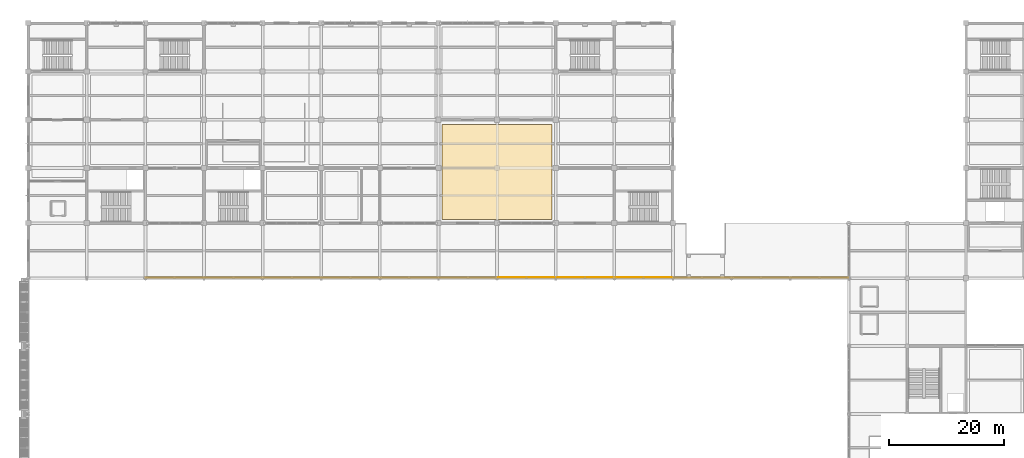
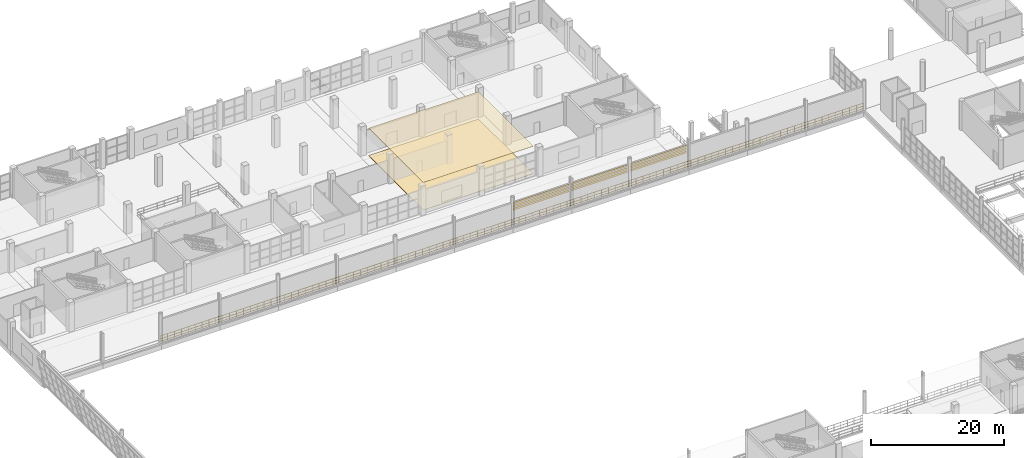
# One storey, part 163 of 175: 11 coverings, 1 railing.
"""IFC4 building model written with IfcOpenShell, lengths in metres."""

from ifc_helpers import new_model, si_unit, direction, frame, origin, origin_2d, place, context, subcontext, project, spatial, polyline, circle, outline, extrude, material, layer, layer_set, type_object, element, save


model = new_model("IFC4")

# Units and contexts
model_context = context("Model", 3, precision=1e-05, world=origin(), true_north=direction((0.0, 1.0)))
body_context = subcontext(model_context, "Body", "Model", "MODEL_VIEW")
ifc_project = project(units=[si_unit("LENGTHUNIT", "METRE"), si_unit("AREAUNIT", "SQUARE_METRE"), si_unit("VOLUMEUNIT", "CUBIC_METRE"), si_unit("PLANEANGLEUNIT", "RADIAN"), si_unit("MASSUNIT", "GRAM", prefix="KILO")], contexts=[model_context])

# Site, building, storey
site_placement = place(None, origin())
site = spatial("IfcSite", under=ifc_project, at=site_placement, CompositionType="ELEMENT")
building_placement = place(site_placement, origin())
building = spatial("IfcBuilding", under=site, at=building_placement, Name="Brelvane Convention Centre", CompositionType="ELEMENT")
storey_placement = place(building_placement, frame((0.0, 0.0, 5.39990234375)))
storey = spatial("IfcBuildingStorey", under=building, at=storey_placement, Name="L01", CompositionType="ELEMENT", Elevation=5.39990234375)

# Coverings
ifc_material_1 = material(Name="Patinated Copper-Bronze Alloy C22000")
ifc_layer_1 = layer(ifc_material_1, 0.044921875)
ifc_layer_set_1 = layer_set([ifc_layer_1], Name="Patinated Copper-Bronze Alloy C22000")
covering_type_1 = type_object("IfcCoveringType", Name="Envelope Covering CL-CU1", PredefinedType="CLADDING", material=ifc_layer_set_1)
covering_1_placement = place(storey_placement, frame((0.0, 0.0, 3.77001953125)))
element("IfcCovering", 1, at=covering_1_placement, inside=storey, type_object=covering_type_1, Name="Copper-Bronze Hull Band L01-V1N-L01-09-1", PredefinedType="CLADDING", context=body_context, shape_type="SweptSolid", body=[
    extrude(outline(polyline([(81.840087890625, 99.740966796875), (91.56005859375, 99.740966796875), (91.56005859375, 99.785888671875), (81.840087890625, 99.785888671875), (81.840087890625, 99.740966796875)])), origin(), (0.0, 0.0, 1.0), 0.380126953125),
])
covering_2_placement = place(storey_placement, frame((0.0, 0.0, 3.77001953125)))
element("IfcCovering", 2, at=covering_2_placement, inside=storey, type_object=covering_type_1, Name="Copper-Bronze Hull Band L01-V1N-L01-10-1", PredefinedType="CLADDING", context=body_context, shape_type="SweptSolid", body=[
    extrude(outline(polyline([(92.0400390625, 99.740966796875), (101.760009765625, 99.740966796875), (101.760009765625, 99.785888671875), (92.0400390625, 99.785888671875), (92.0400390625, 99.740966796875)])), origin(), (0.0, 0.0, 1.0), 0.380126953125),
])
covering_3_placement = place(storey_placement, frame((0.0, 0.0, 3.77001953125)))
element("IfcCovering", 3, at=covering_3_placement, inside=storey, type_object=covering_type_1, Name="Copper-Bronze Hull Band L01-V1N-L01-11-1", PredefinedType="CLADDING", context=body_context, shape_type="SweptSolid", body=[
    extrude(outline(polyline([(102.239990234375, 99.740966796875), (111.9599609375, 99.740966796875), (111.9599609375, 99.785888671875), (102.239990234375, 99.785888671875), (102.239990234375, 99.740966796875)])), origin(), (0.0, 0.0, 1.0), 0.380126953125),
])
ifc_material_2 = material(Name="Patinated Copper-Bronze Alloy C22000")
ifc_layer_2 = layer(ifc_material_2, 0.054931640625)
ifc_layer_set_2 = layer_set([ifc_layer_2], Name="Patinated Copper-Bronze Alloy C22000")
covering_type_2 = type_object("IfcCoveringType", Name="Envelope Covering CL-CU2", PredefinedType="CLADDING", material=ifc_layer_set_2)
covering_4_placement = place(storey_placement, frame((0.0, 0.0, 3.22021484375)))
element("IfcCovering", 4, at=covering_4_placement, inside=storey, type_object=covering_type_2, Name="Copper-Bronze Hull Band L01-V1N-L01-09-2", PredefinedType="CLADDING", context=body_context, shape_type="SweptSolid", body=[
    extrude(outline(polyline([(81.840087890625, 99.740966796875), (91.56005859375, 99.740966796875), (91.56005859375, 99.7958984375), (81.840087890625, 99.7958984375), (81.840087890625, 99.740966796875)])), origin(), (0.0, 0.0, 1.0), 0.3798828125),
])
covering_5_placement = place(storey_placement, frame((0.0, 0.0, 3.22021484375)))
element("IfcCovering", 5, at=covering_5_placement, inside=storey, type_object=covering_type_2, Name="Copper-Bronze Hull Band L01-V1N-L01-10-2", PredefinedType="CLADDING", context=body_context, shape_type="SweptSolid", body=[
    extrude(outline(polyline([(92.0400390625, 99.740966796875), (101.760009765625, 99.740966796875), (101.760009765625, 99.7958984375), (92.0400390625, 99.7958984375), (92.0400390625, 99.740966796875)])), origin(), (0.0, 0.0, 1.0), 0.3798828125),
])
covering_6_placement = place(storey_placement, frame((0.0, 0.0, 3.22021484375)))
element("IfcCovering", 6, at=covering_6_placement, inside=storey, type_object=covering_type_2, Name="Copper-Bronze Hull Band L01-V1N-L01-11-2", PredefinedType="CLADDING", context=body_context, shape_type="SweptSolid", body=[
    extrude(outline(polyline([(102.239990234375, 99.740966796875), (111.9599609375, 99.740966796875), (111.9599609375, 99.7958984375), (102.239990234375, 99.7958984375), (102.239990234375, 99.740966796875)])), origin(), (0.0, 0.0, 1.0), 0.3798828125),
])
ifc_material_3 = material(Name="Patinated Copper-Bronze Alloy C22000")
ifc_layer_3 = layer(ifc_material_3, 0.06494140625)
ifc_layer_set_3 = layer_set([ifc_layer_3], Name="Patinated Copper-Bronze Alloy C22000")
covering_type_3 = type_object("IfcCoveringType", Name="Envelope Covering CL-CU3", PredefinedType="CLADDING", material=ifc_layer_set_3)
covering_7_placement = place(storey_placement, frame((0.0, 0.0, 2.670166015625)))
element("IfcCovering", 7, at=covering_7_placement, inside=storey, type_object=covering_type_3, Name="Copper-Bronze Hull Band L01-V1N-L01-09-3", PredefinedType="CLADDING", context=body_context, shape_type="SweptSolid", body=[
    extrude(outline(polyline([(81.840087890625, 99.740966796875), (91.56005859375, 99.740966796875), (91.56005859375, 99.805908203125), (81.840087890625, 99.805908203125), (81.840087890625, 99.740966796875)])), origin(), (0.0, 0.0, 1.0), 0.3798828125),
])
covering_8_placement = place(storey_placement, frame((0.0, 0.0, 2.670166015625)))
element("IfcCovering", 8, at=covering_8_placement, inside=storey, type_object=covering_type_3, Name="Copper-Bronze Hull Band L01-V1N-L01-10-3", PredefinedType="CLADDING", context=body_context, shape_type="SweptSolid", body=[
    extrude(outline(polyline([(92.0400390625, 99.740966796875), (101.760009765625, 99.740966796875), (101.760009765625, 99.805908203125), (92.0400390625, 99.805908203125), (92.0400390625, 99.740966796875)])), origin(), (0.0, 0.0, 1.0), 0.3798828125),
])
covering_9_placement = place(storey_placement, frame((0.0, 0.0, 2.670166015625)))
element("IfcCovering", 9, at=covering_9_placement, inside=storey, type_object=covering_type_3, Name="Copper-Bronze Hull Band L01-V1N-L01-11-3", PredefinedType="CLADDING", context=body_context, shape_type="SweptSolid", body=[
    extrude(outline(polyline([(102.239990234375, 99.740966796875), (111.9599609375, 99.740966796875), (111.9599609375, 99.805908203125), (102.239990234375, 99.805908203125), (102.239990234375, 99.740966796875)])), origin(), (0.0, 0.0, 1.0), 0.3798828125),
])
ifc_material_4 = material(Name="Perforated Anodised Aluminium Alloy 6063 Acoustic Baffle", Category="aluminium")
ifc_layer_4 = layer(ifc_material_4, 0.074951171875)
ifc_layer_set_4 = layer_set([ifc_layer_4], Name="Perforated Anodised Aluminium Alloy 6063 Acoustic Baffle")
covering_type_4 = type_object("IfcCoveringType", Name="Interior Finish CL-BAF-75", PredefinedType="CEILING", material=ifc_layer_set_4)
covering_10_placement = place(storey_placement, frame((0.0, 0.0, 5.045166015625)))
element("IfcCovering", 10, at=covering_10_placement, inside=storey, type_object=covering_type_4, Name="Meeting Room 204 Acoustic Ceiling (CL-BAF-75)", PredefinedType="CEILING", context=body_context, shape_type="SweptSolid", body=[
    extrude(outline(polyline([(72.030029296875, 109.830078125), (91.169921875, 109.830078125), (91.169921875, 126.3701171875), (72.030029296875, 126.3701171875), (72.030029296875, 109.830078125)])), origin(), (0.0, 0.0, 1.0), 0.074951171875),
])
ifc_material_5 = material(Name="Polished Basalt-Aggregate Terrazzo Screed Concrete M30", Category="masonry")
ifc_layer_5 = layer(ifc_material_5, 0.050048828125)
ifc_layer_set_5 = layer_set([ifc_layer_5], Name="Polished Basalt-Aggregate Terrazzo Screed Concrete M30")
covering_type_5 = type_object("IfcCoveringType", Name="Interior Finish FL-TER-50", PredefinedType="FLOORING", material=ifc_layer_set_5)
covering_11_placement = place(storey_placement, origin())
element("IfcCovering", 11, at=covering_11_placement, inside=storey, type_object=covering_type_5, Name="Meeting Room 204 Floor Finish (FL-TER-50)", PredefinedType="FLOORING", context=body_context, shape_type="SweptSolid", body=[
    extrude(outline(polyline([(72.030029296875, 109.830078125), (91.169921875, 109.830078125), (91.169921875, 126.3701171875), (72.030029296875, 126.3701171875), (72.030029296875, 109.830078125)])), origin(), (0.0, 0.0, 1.0), 0.050048828125),
])

# Railing
ifc_material_6 = material(Name="Steel E350 (350 MPa)", Category="steel")
railing_type = type_object("IfcRailingType", Name="Railing GR-EXT-1", PredefinedType="GUARDRAIL", material=ifc_material_6)
railing_placement = place(storey_placement, frame((20.449951171875, 99.679931640625, 0.0)))
element("IfcRailing", 12, at=railing_placement, inside=storey, type_object=railing_type, Name="Railing GR-EXT-1 L01-court_s_edge_L01", PredefinedType="GUARDRAIL", context=body_context, shape_type="SweptSolid", body=[
    extrude(circle(Radius=0.02392578125, at=origin_2d()), frame((0.0, 0.0, 1.1259765625), z_axis=(1.0, 0.0, 0.0), x_axis=(0.0, 1.0, 0.0)), (0.0, 0.0, 1.0), 122.27001953125),
    extrude(circle(Radius=0.02392578125, at=origin_2d()), frame((0.0, 0.0, 0.597900390625), z_axis=(1.0, 0.0, 0.0), x_axis=(0.0, 1.0, 0.0)), (0.0, 0.0, 1.0), 122.27001953125),
    extrude(circle(Radius=0.02392578125, at=origin_2d()), frame((0.0, 0.0, 0.139892578125), z_axis=(1.0, 0.0, 0.0), x_axis=(0.0, 1.0, 0.0)), (0.0, 0.0, 1.0), 122.27001953125),
    extrude(circle(Radius=0.02099609375, at=origin_2d()), origin(), (0.0, 0.0, 1.0), 1.101806640625),
    extrude(circle(Radius=0.02099609375, at=origin_2d()), frame((1.19873046875, 0.0, 0.0)), (0.0, 0.0, 1.0), 1.101806640625),
    extrude(circle(Radius=0.02099609375, at=origin_2d()), frame((2.3974609375, 0.0, 0.0)), (0.0, 0.0, 1.0), 1.101806640625),
    extrude(circle(Radius=0.02099609375, at=origin_2d()), frame((3.59619140625, 0.0, 0.0)), (0.0, 0.0, 1.0), 1.101806640625),
    extrude(circle(Radius=0.02099609375, at=origin_2d()), frame((4.794921875, 0.0, 0.0)), (0.0, 0.0, 1.0), 1.101806640625),
    extrude(circle(Radius=0.02099609375, at=origin_2d()), frame((5.99365234375, 0.0, 0.0)), (0.0, 0.0, 1.0), 1.101806640625),
    extrude(circle(Radius=0.02099609375, at=origin_2d()), frame((7.1923828125, 0.0, 0.0)), (0.0, 0.0, 1.0), 1.101806640625),
    extrude(circle(Radius=0.02099609375, at=origin_2d()), frame((8.39111328125, 0.0, 0.0)), (0.0, 0.0, 1.0), 1.101806640625),
    extrude(circle(Radius=0.02099609375, at=origin_2d()), frame((9.58984375, 0.0, 0.0)), (0.0, 0.0, 1.0), 1.101806640625),
    extrude(circle(Radius=0.02099609375, at=origin_2d()), frame((10.78857421875, 0.0, 0.0)), (0.0, 0.0, 1.0), 1.101806640625),
    extrude(circle(Radius=0.02099609375, at=origin_2d()), frame((11.9873046875, 0.0, 0.0)), (0.0, 0.0, 1.0), 1.101806640625),
    extrude(circle(Radius=0.02099609375, at=origin_2d()), frame((13.18603515625, 0.0, 0.0)), (0.0, 0.0, 1.0), 1.101806640625),
    extrude(circle(Radius=0.02099609375, at=origin_2d()), frame((14.384765625, 0.0, 0.0)), (0.0, 0.0, 1.0), 1.101806640625),
    extrude(circle(Radius=0.02099609375, at=origin_2d()), frame((15.58349609375, 0.0, 0.0)), (0.0, 0.0, 1.0), 1.101806640625),
    extrude(circle(Radius=0.02099609375, at=origin_2d()), frame((16.7822265625, 0.0, 0.0)), (0.0, 0.0, 1.0), 1.101806640625),
    extrude(circle(Radius=0.02099609375, at=origin_2d()), frame((17.98095703125, 0.0, 0.0)), (0.0, 0.0, 1.0), 1.101806640625),
    extrude(circle(Radius=0.02099609375, at=origin_2d()), frame((19.1796875, 0.0, 0.0)), (0.0, 0.0, 1.0), 1.101806640625),
    extrude(circle(Radius=0.02099609375, at=origin_2d()), frame((20.37841796875, 0.0, 0.0)), (0.0, 0.0, 1.0), 1.101806640625),
    extrude(circle(Radius=0.02099609375, at=origin_2d()), frame((21.5771484375, 0.0, 0.0)), (0.0, 0.0, 1.0), 1.101806640625),
    extrude(circle(Radius=0.02099609375, at=origin_2d()), frame((22.77587890625, 0.0, 0.0)), (0.0, 0.0, 1.0), 1.101806640625),
    extrude(circle(Radius=0.02099609375, at=origin_2d()), frame((23.974609375, 0.0, 0.0)), (0.0, 0.0, 1.0), 1.101806640625),
    extrude(circle(Radius=0.02099609375, at=origin_2d()), frame((25.17333984375, 0.0, 0.0)), (0.0, 0.0, 1.0), 1.101806640625),
    extrude(circle(Radius=0.02099609375, at=origin_2d()), frame((26.3720703125, 0.0, 0.0)), (0.0, 0.0, 1.0), 1.101806640625),
    extrude(circle(Radius=0.02099609375, at=origin_2d()), frame((27.57080078125, 0.0, 0.0)), (0.0, 0.0, 1.0), 1.101806640625),
    extrude(circle(Radius=0.02099609375, at=origin_2d()), frame((28.76953125, 0.0, 0.0)), (0.0, 0.0, 1.0), 1.101806640625),
    extrude(circle(Radius=0.02099609375, at=origin_2d()), frame((29.96826171875, 0.0, 0.0)), (0.0, 0.0, 1.0), 1.101806640625),
    extrude(circle(Radius=0.02099609375, at=origin_2d()), frame((31.166748046875, 0.0, 0.0)), (0.0, 0.0, 1.0), 1.101806640625),
    extrude(circle(Radius=0.02099609375, at=origin_2d()), frame((32.365478515625, 0.0, 0.0)), (0.0, 0.0, 1.0), 1.101806640625),
    extrude(circle(Radius=0.02099609375, at=origin_2d()), frame((33.564208984375, 0.0, 0.0)), (0.0, 0.0, 1.0), 1.101806640625),
    extrude(circle(Radius=0.02099609375, at=origin_2d()), frame((34.762939453125, 0.0, 0.0)), (0.0, 0.0, 1.0), 1.101806640625),
    extrude(circle(Radius=0.02099609375, at=origin_2d()), frame((35.961669921875, 0.0, 0.0)), (0.0, 0.0, 1.0), 1.101806640625),
    extrude(circle(Radius=0.02099609375, at=origin_2d()), frame((37.160400390625, 0.0, 0.0)), (0.0, 0.0, 1.0), 1.101806640625),
    extrude(circle(Radius=0.02099609375, at=origin_2d()), frame((38.359130859375, 0.0, 0.0)), (0.0, 0.0, 1.0), 1.101806640625),
    extrude(circle(Radius=0.02099609375, at=origin_2d()), frame((39.557861328125, 0.0, 0.0)), (0.0, 0.0, 1.0), 1.101806640625),
    extrude(circle(Radius=0.02099609375, at=origin_2d()), frame((40.756591796875, 0.0, 0.0)), (0.0, 0.0, 1.0), 1.101806640625),
    extrude(circle(Radius=0.02099609375, at=origin_2d()), frame((41.955322265625, 0.0, 0.0)), (0.0, 0.0, 1.0), 1.101806640625),
    extrude(circle(Radius=0.02099609375, at=origin_2d()), frame((43.154052734375, 0.0, 0.0)), (0.0, 0.0, 1.0), 1.101806640625),
    extrude(circle(Radius=0.02099609375, at=origin_2d()), frame((44.352783203125, 0.0, 0.0)), (0.0, 0.0, 1.0), 1.101806640625),
    extrude(circle(Radius=0.02099609375, at=origin_2d()), frame((45.551513671875, 0.0, 0.0)), (0.0, 0.0, 1.0), 1.101806640625),
    extrude(circle(Radius=0.02099609375, at=origin_2d()), frame((46.750244140625, 0.0, 0.0)), (0.0, 0.0, 1.0), 1.101806640625),
    extrude(circle(Radius=0.02099609375, at=origin_2d()), frame((47.948974609375, 0.0, 0.0)), (0.0, 0.0, 1.0), 1.101806640625),
    extrude(circle(Radius=0.02099609375, at=origin_2d()), frame((49.147705078125, 0.0, 0.0)), (0.0, 0.0, 1.0), 1.101806640625),
    extrude(circle(Radius=0.02099609375, at=origin_2d()), frame((50.346435546875, 0.0, 0.0)), (0.0, 0.0, 1.0), 1.101806640625),
    extrude(circle(Radius=0.02099609375, at=origin_2d()), frame((51.545166015625, 0.0, 0.0)), (0.0, 0.0, 1.0), 1.101806640625),
    extrude(circle(Radius=0.02099609375, at=origin_2d()), frame((52.743896484375, 0.0, 0.0)), (0.0, 0.0, 1.0), 1.101806640625),
    extrude(circle(Radius=0.02099609375, at=origin_2d()), frame((53.942626953125, 0.0, 0.0)), (0.0, 0.0, 1.0), 1.101806640625),
    extrude(circle(Radius=0.02099609375, at=origin_2d()), frame((55.141357421875, 0.0, 0.0)), (0.0, 0.0, 1.0), 1.101806640625),
    extrude(circle(Radius=0.02099609375, at=origin_2d()), frame((56.340087890625, 0.0, 0.0)), (0.0, 0.0, 1.0), 1.101806640625),
    extrude(circle(Radius=0.02099609375, at=origin_2d()), frame((57.538818359375, 0.0, 0.0)), (0.0, 0.0, 1.0), 1.101806640625),
    extrude(circle(Radius=0.02099609375, at=origin_2d()), frame((58.737548828125, 0.0, 0.0)), (0.0, 0.0, 1.0), 1.101806640625),
    extrude(circle(Radius=0.02099609375, at=origin_2d()), frame((59.936279296875, 0.0, 0.0)), (0.0, 0.0, 1.0), 1.101806640625),
    extrude(circle(Radius=0.02099609375, at=origin_2d()), frame((61.135009765625, 0.0, 0.0)), (0.0, 0.0, 1.0), 1.101806640625),
    extrude(circle(Radius=0.02099609375, at=origin_2d()), frame((62.333740234375, 0.0, 0.0)), (0.0, 0.0, 1.0), 1.101806640625),
    extrude(circle(Radius=0.02099609375, at=origin_2d()), frame((63.532470703125, 0.0, 0.0)), (0.0, 0.0, 1.0), 1.101806640625),
    extrude(circle(Radius=0.02099609375, at=origin_2d()), frame((64.731201171875, 0.0, 0.0)), (0.0, 0.0, 1.0), 1.101806640625),
    extrude(circle(Radius=0.02099609375, at=origin_2d()), frame((65.929931640625, 0.0, 0.0)), (0.0, 0.0, 1.0), 1.101806640625),
    extrude(circle(Radius=0.02099609375, at=origin_2d()), frame((67.128662109375, 0.0, 0.0)), (0.0, 0.0, 1.0), 1.101806640625),
    extrude(circle(Radius=0.02099609375, at=origin_2d()), frame((68.327392578125, 0.0, 0.0)), (0.0, 0.0, 1.0), 1.101806640625),
    extrude(circle(Radius=0.02099609375, at=origin_2d()), frame((69.526123046875, 0.0, 0.0)), (0.0, 0.0, 1.0), 1.101806640625),
    extrude(circle(Radius=0.02099609375, at=origin_2d()), frame((70.724853515625, 0.0, 0.0)), (0.0, 0.0, 1.0), 1.101806640625),
    extrude(circle(Radius=0.02099609375, at=origin_2d()), frame((71.923583984375, 0.0, 0.0)), (0.0, 0.0, 1.0), 1.101806640625),
    extrude(circle(Radius=0.02099609375, at=origin_2d()), frame((73.122314453125, 0.0, 0.0)), (0.0, 0.0, 1.0), 1.101806640625),
    extrude(circle(Radius=0.02099609375, at=origin_2d()), frame((74.321044921875, 0.0, 0.0)), (0.0, 0.0, 1.0), 1.101806640625),
    extrude(circle(Radius=0.02099609375, at=origin_2d()), frame((75.519775390625, 0.0, 0.0)), (0.0, 0.0, 1.0), 1.101806640625),
    extrude(circle(Radius=0.02099609375, at=origin_2d()), frame((76.718505859375, 0.0, 0.0)), (0.0, 0.0, 1.0), 1.101806640625),
    extrude(circle(Radius=0.02099609375, at=origin_2d()), frame((77.917236328125, 0.0, 0.0)), (0.0, 0.0, 1.0), 1.101806640625),
    extrude(circle(Radius=0.02099609375, at=origin_2d()), frame((79.115966796875, 0.0, 0.0)), (0.0, 0.0, 1.0), 1.101806640625),
    extrude(circle(Radius=0.02099609375, at=origin_2d()), frame((80.314697265625, 0.0, 0.0)), (0.0, 0.0, 1.0), 1.101806640625),
    extrude(circle(Radius=0.02099609375, at=origin_2d()), frame((81.513427734375, 0.0, 0.0)), (0.0, 0.0, 1.0), 1.101806640625),
    extrude(circle(Radius=0.02099609375, at=origin_2d()), frame((82.712158203125, 0.0, 0.0)), (0.0, 0.0, 1.0), 1.101806640625),
    extrude(circle(Radius=0.02099609375, at=origin_2d()), frame((83.910888671875, 0.0, 0.0)), (0.0, 0.0, 1.0), 1.101806640625),
    extrude(circle(Radius=0.02099609375, at=origin_2d()), frame((85.109619140625, 0.0, 0.0)), (0.0, 0.0, 1.0), 1.101806640625),
    extrude(circle(Radius=0.02099609375, at=origin_2d()), frame((86.308349609375, 0.0, 0.0)), (0.0, 0.0, 1.0), 1.101806640625),
    extrude(circle(Radius=0.02099609375, at=origin_2d()), frame((87.507080078125, 0.0, 0.0)), (0.0, 0.0, 1.0), 1.101806640625),
    extrude(circle(Radius=0.02099609375, at=origin_2d()), frame((88.705810546875, 0.0, 0.0)), (0.0, 0.0, 1.0), 1.101806640625),
    extrude(circle(Radius=0.02099609375, at=origin_2d()), frame((89.904541015625, 0.0, 0.0)), (0.0, 0.0, 1.0), 1.101806640625),
    extrude(circle(Radius=0.02099609375, at=origin_2d()), frame((91.103271484375, 0.0, 0.0)), (0.0, 0.0, 1.0), 1.101806640625),
    extrude(circle(Radius=0.02099609375, at=origin_2d()), frame((92.3017578125, 0.0, 0.0)), (0.0, 0.0, 1.0), 1.101806640625),
    extrude(circle(Radius=0.02099609375, at=origin_2d()), frame((93.50048828125, 0.0, 0.0)), (0.0, 0.0, 1.0), 1.101806640625),
    extrude(circle(Radius=0.02099609375, at=origin_2d()), frame((94.69921875, 0.0, 0.0)), (0.0, 0.0, 1.0), 1.101806640625),
    extrude(circle(Radius=0.02099609375, at=origin_2d()), frame((95.89794921875, 0.0, 0.0)), (0.0, 0.0, 1.0), 1.101806640625),
    extrude(circle(Radius=0.02099609375, at=origin_2d()), frame((97.0966796875, 0.0, 0.0)), (0.0, 0.0, 1.0), 1.101806640625),
    extrude(circle(Radius=0.02099609375, at=origin_2d()), frame((98.29541015625, 0.0, 0.0)), (0.0, 0.0, 1.0), 1.101806640625),
    extrude(circle(Radius=0.02099609375, at=origin_2d()), frame((99.494140625, 0.0, 0.0)), (0.0, 0.0, 1.0), 1.101806640625),
    extrude(circle(Radius=0.02099609375, at=origin_2d()), frame((100.69287109375, 0.0, 0.0)), (0.0, 0.0, 1.0), 1.101806640625),
    extrude(circle(Radius=0.02099609375, at=origin_2d()), frame((101.8916015625, 0.0, 0.0)), (0.0, 0.0, 1.0), 1.101806640625),
    extrude(circle(Radius=0.02099609375, at=origin_2d()), frame((103.09033203125, 0.0, 0.0)), (0.0, 0.0, 1.0), 1.101806640625),
    extrude(circle(Radius=0.02099609375, at=origin_2d()), frame((104.2890625, 0.0, 0.0)), (0.0, 0.0, 1.0), 1.101806640625),
    extrude(circle(Radius=0.02099609375, at=origin_2d()), frame((105.48779296875, 0.0, 0.0)), (0.0, 0.0, 1.0), 1.101806640625),
    extrude(circle(Radius=0.02099609375, at=origin_2d()), frame((106.6865234375, 0.0, 0.0)), (0.0, 0.0, 1.0), 1.101806640625),
    extrude(circle(Radius=0.02099609375, at=origin_2d()), frame((107.88525390625, 0.0, 0.0)), (0.0, 0.0, 1.0), 1.101806640625),
    extrude(circle(Radius=0.02099609375, at=origin_2d()), frame((109.083984375, 0.0, 0.0)), (0.0, 0.0, 1.0), 1.101806640625),
    extrude(circle(Radius=0.02099609375, at=origin_2d()), frame((110.28271484375, 0.0, 0.0)), (0.0, 0.0, 1.0), 1.101806640625),
    extrude(circle(Radius=0.02099609375, at=origin_2d()), frame((111.4814453125, 0.0, 0.0)), (0.0, 0.0, 1.0), 1.101806640625),
    extrude(circle(Radius=0.02099609375, at=origin_2d()), frame((112.68017578125, 0.0, 0.0)), (0.0, 0.0, 1.0), 1.101806640625),
    extrude(circle(Radius=0.02099609375, at=origin_2d()), frame((113.87890625, 0.0, 0.0)), (0.0, 0.0, 1.0), 1.101806640625),
    extrude(circle(Radius=0.02099609375, at=origin_2d()), frame((115.07763671875, 0.0, 0.0)), (0.0, 0.0, 1.0), 1.101806640625),
    extrude(circle(Radius=0.02099609375, at=origin_2d()), frame((116.2763671875, 0.0, 0.0)), (0.0, 0.0, 1.0), 1.101806640625),
    extrude(circle(Radius=0.02099609375, at=origin_2d()), frame((117.47509765625, 0.0, 0.0)), (0.0, 0.0, 1.0), 1.101806640625),
    extrude(circle(Radius=0.02099609375, at=origin_2d()), frame((118.673828125, 0.0, 0.0)), (0.0, 0.0, 1.0), 1.101806640625),
    extrude(circle(Radius=0.02099609375, at=origin_2d()), frame((119.87255859375, 0.0, 0.0)), (0.0, 0.0, 1.0), 1.101806640625),
    extrude(circle(Radius=0.02099609375, at=origin_2d()), frame((121.0712890625, 0.0, 0.0)), (0.0, 0.0, 1.0), 1.101806640625),
    extrude(circle(Radius=0.02099609375, at=origin_2d()), frame((122.27001953125, 0.0, 0.0)), (0.0, 0.0, 1.0), 1.101806640625),
])

save(model, "model.ifc")
